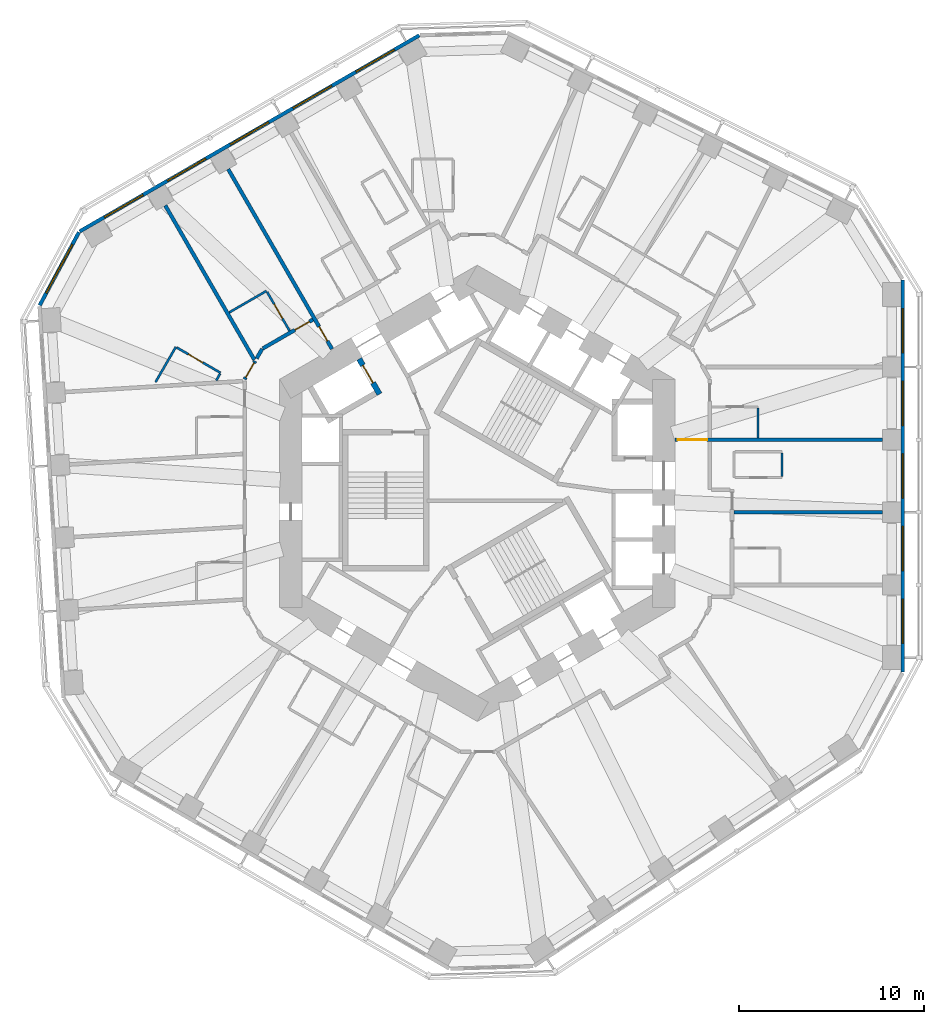
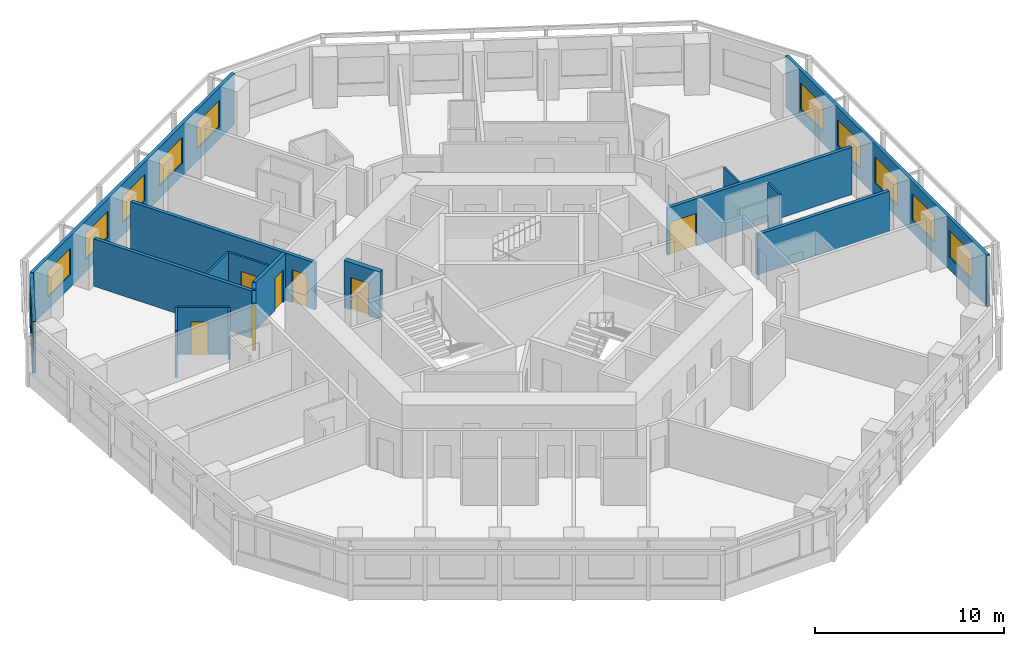
# One storey, part 7 of 12: 18 walls, 11 windows, 7 doors, 18 openings.
"""IFC4 building model written with IfcOpenShell, lengths in metres."""

from ifc_helpers import new_model, si_unit, direction, frame, frame_2d, origin, place, context, subcontext, project, spatial, rectangle, extrude, material, layer, layer_set, type_object, element, fill, save


model = new_model("IFC4")

# Units and contexts
model_context = context("Model", 3, precision=1e-05, world=origin(), true_north=direction((0.0, 1.0)))
body_context = subcontext(model_context, "Body", "Model", "MODEL_VIEW")
ifc_project = project(units=[si_unit("LENGTHUNIT", "METRE"), si_unit("AREAUNIT", "SQUARE_METRE"), si_unit("VOLUMEUNIT", "CUBIC_METRE"), si_unit("PLANEANGLEUNIT", "RADIAN"), si_unit("MASSUNIT", "GRAM", prefix="KILO")], contexts=[model_context])

# Site, building, storey
site_placement = place(None, origin())
site = spatial("IfcSite", under=ifc_project, at=site_placement, CompositionType="ELEMENT")
building_placement = place(site_placement, origin())
building = spatial("IfcBuilding", under=site, at=building_placement, Name="Vanh Sen Convention Tower", CompositionType="ELEMENT")
storey_placement = place(building_placement, frame((0.0, 0.0, 93.5)))
storey = spatial("IfcBuildingStorey", under=building, at=storey_placement, Name="L21", CompositionType="ELEMENT", Elevation=93.5)

# Wall
ifc_material_1 = material(Name="Moisture-resistant gypsum board on steel studs", Category="steel")
ifc_layer_1 = layer(ifc_material_1, 0.1201171875)
ifc_layer_set_1 = layer_set([ifc_layer_1], Name="Moisture-resistant gypsum board on steel studs")
wall_type_1 = type_object("IfcWallType", Name="Bathroom partition 120", PredefinedType="PARTITIONING", material=ifc_layer_set_1)
wall_1_placement = place(storey_placement, frame((-17.42578125, 6.019287109375, 0.0), z_axis=(0.0, 0.0, 1.0), x_axis=(0.50002983664, 0.866008176907, 0.0)))
element("IfcWall", 1, at=wall_1_placement, inside=storey, type_object=wall_type_1, Name="Bathroom partition 120", PredefinedType="PARTITIONING", context=body_context, shape_type="SweptSolid", body=[
    extrude(rectangle(XDim=2.199951171875, YDim=0.1201171875, at=frame_2d((1.10009765625, 0.0))), origin(), (0.0, 0.0, 1.0), 3.050048828125),
])

# Wall, opening, door
wall_2_placement = place(storey_placement, frame((-16.273681640625, 7.89453125, 0.0), z_axis=(0.0, 0.0, 1.0), x_axis=(0.865997131366, -0.500048966069, 0.0)))
wall_2 = element("IfcWall", 2, at=wall_2_placement, inside=storey, type_object=wall_type_1, Name="Bathroom partition 120", PredefinedType="PARTITIONING", context=body_context, shape_type="SweptSolid", body=[
    extrude(rectangle(XDim=2.739990234375, YDim=0.1201171875, at=frame_2d((1.3701171875, 0.0))), origin(), (0.0, 0.0, 1.0), 3.050048828125),
])
opening_1_placement = place(wall_2_placement, frame((0.719970703125, 0.0, 0.0)))
opening_1 = element("IfcOpeningElement", 3, at=opening_1_placement, cuts=wall_2, Name="Opening D19124", PredefinedType="OPENING", context=body_context, shape_type="SweptSolid", body=[
    extrude(rectangle(XDim=0.89990234375, YDim=2.10009765625, at=frame_2d((0.449951171875, 1.050048828125))), frame((0.0, 0.070068359375, 0.0), z_axis=(0.0, -1.0, 0.0), x_axis=(1.0, 0.0, 0.0)), (0.0, 0.0, 1.0), 0.14013671875),
])
ifc_material_2 = material(Name="Laminate door in steel frame", Category="steel")
door_type_1 = type_object("IfcDoorType", Name="En-suite door 900", OperationType="SINGLE_SWING_LEFT", PredefinedType="DOOR", material=ifc_material_2)
door_1_placement = place(opening_1_placement, origin())
door_1 = element("IfcDoor", 4, at=door_1_placement, inside=storey, type_object=door_type_1, Name="En-suite door D19124", OperationType="SINGLE_SWING_LEFT", OverallHeight=2.10009765625, OverallWidth=0.89990234375, PredefinedType="DOOR", context=body_context, shape_type="SweptSolid", body=[
    extrude(rectangle(XDim=0.89990234375, YDim=2.10009765625, at=frame_2d((0.449951171875, 1.050048828125))), frame((0.0, 0.02490234375, 0.0), z_axis=(0.0, -1.0, 0.0), x_axis=(1.0, 0.0, 0.0)), (0.0, 0.0, 1.0), 0.050048828125),
])
fill(opening_1, door_1)

# Walls
wall_3_placement = place(storey_placement, frame((-13.930908203125, 6.472412109375, 0.0), z_axis=(0.0, 0.0, 1.0), x_axis=(-0.499739399214, -0.866175809448, 0.0)))
element("IfcWall", 5, at=wall_3_placement, inside=storey, type_object=wall_type_1, Name="Bathroom partition 120", PredefinedType="PARTITIONING", context=body_context, shape_type="SweptSolid", body=[
    extrude(rectangle(XDim=0.415771484375, YDim=0.1201171875, at=frame_2d((0.2080078125, 0.0))), origin(), (0.0, 0.0, 1.0), 3.050048828125),
])
wall_4_placement = place(storey_placement, frame((-13.436279296875, 9.7939453125, 0.0), z_axis=(0.0, 0.0, 1.0), x_axis=(0.866053246676, 0.499951771596, 0.0)))
element("IfcWall", 6, at=wall_4_placement, inside=storey, type_object=wall_type_1, Name="Bathroom partition 120", PredefinedType="PARTITIONING", context=body_context, shape_type="SweptSolid", body=[
    extrude(rectangle(XDim=2.334716796875, YDim=0.1201171875, at=frame_2d((1.16748046875, 0.0))), origin(), (0.0, 0.0, 1.0), 3.050048828125),
])

# Wall, opening, door
wall_5_placement = place(storey_placement, frame((-11.384521484375, 10.9091796875, 0.0), z_axis=(0.0, 0.0, 1.0), x_axis=(0.500077547548, -0.865980627057, 0.0)))
wall_5 = element("IfcWall", 7, at=wall_5_placement, inside=storey, type_object=wall_type_1, Name="Bathroom partition 120", PredefinedType="PARTITIONING", context=body_context, shape_type="SweptSolid", body=[
    extrude(rectangle(XDim=2.43994140625, YDim=0.1201171875, at=frame_2d((1.219970703125, 0.0))), origin(), (0.0, 0.0, 1.0), 3.050048828125),
])
opening_2_placement = place(wall_5_placement, frame((0.77001953125, 0.0, 0.0)))
opening_2 = element("IfcOpeningElement", 8, at=opening_2_placement, cuts=wall_5, Name="Opening D19122", PredefinedType="OPENING", context=body_context, shape_type="SweptSolid", body=[
    extrude(rectangle(XDim=0.89990234375, YDim=2.10009765625, at=frame_2d((0.449951171875, 1.050048828125))), frame((0.0, 0.070068359375, 0.0), z_axis=(0.0, -1.0, 0.0), x_axis=(1.0, 0.0, 0.0)), (0.0, 0.0, 1.0), 0.14013671875),
])
door_2_placement = place(opening_2_placement, origin())
door_2 = element("IfcDoor", 9, at=door_2_placement, inside=storey, type_object=door_type_1, Name="En-suite door D19122", OperationType="SINGLE_SWING_LEFT", OverallHeight=2.10009765625, OverallWidth=0.89990234375, PredefinedType="DOOR", context=body_context, shape_type="SweptSolid", body=[
    extrude(rectangle(XDim=0.89990234375, YDim=2.10009765625, at=frame_2d((0.449951171875, 1.050048828125))), frame((0.0, 0.02490234375, 0.0), z_axis=(0.0, -1.0, 0.0), x_axis=(1.0, 0.0, 0.0)), (0.0, 0.0, 1.0), 0.050048828125),
])
fill(opening_2, door_2)

# Walls
wall_6_placement = place(storey_placement, frame((15.199951171875, 4.61767578125, 0.0), z_axis=(0.0, 0.0, 1.0), x_axis=(0.0, -1.0, 0.0)))
element("IfcWall", 10, at=wall_6_placement, inside=storey, type_object=wall_type_1, Name="Bathroom partition 120", PredefinedType="PARTITIONING", context=body_context, shape_type="SweptSolid", body=[
    extrude(rectangle(XDim=1.61328125, YDim=0.1201171875, at=frame_2d((0.806640625, 0.0))), origin(), (0.0, 0.0, 1.0), 3.050048828125),
])
wall_7_placement = place(storey_placement, frame((16.5, 2.19287109375, 0.0), z_axis=(0.0, 0.0, 1.0), x_axis=(0.0, -1.0, 0.0)))
element("IfcWall", 11, at=wall_7_placement, inside=storey, type_object=wall_type_1, Name="Bathroom partition 120", PredefinedType="PARTITIONING", context=body_context, shape_type="SweptSolid", body=[
    extrude(rectangle(XDim=1.280029296875, YDim=0.1201171875, at=frame_2d((0.64013671875, 0.0))), origin(), (0.0, 0.0, 1.0), 3.050048828125),
])

# Wall, opening, door
ifc_material_3 = material(Name="Gypsum board on steel studs with mineral wool", Category="steel")
ifc_layer_2 = layer(ifc_material_3, 0.199951171875)
ifc_layer_set_2 = layer_set([ifc_layer_2], Name="Gypsum board on steel studs with mineral wool")
wall_type_2 = type_object("IfcWallType", Name="Corridor partition wall 200", PredefinedType="PARTITIONING", material=ifc_layer_set_2)
wall_8_placement = place(storey_placement, frame((-12.031982421875, 7.16162109375, 0.0), z_axis=(0.0, 0.0, 1.0), x_axis=(-0.499951829968, -0.866053212979, 0.0)))
wall_8 = element("IfcWall", 12, at=wall_8_placement, inside=storey, type_object=wall_type_2, Name="Corridor partition wall 200", PredefinedType="PARTITIONING", context=body_context, shape_type="SweptSolid", body=[
    extrude(rectangle(XDim=1.13623046875, YDim=0.199951171875, at=frame_2d((0.568115234375, 0.0))), origin(), (0.0, 0.0, 1.0), 3.050048828125),
])
opening_3_placement = place(wall_8_placement, frame((0.1181640625, 0.0, 0.0)))
opening_3 = element("IfcOpeningElement", 13, at=opening_3_placement, cuts=wall_8, Name="Opening D19123", PredefinedType="OPENING", context=body_context, shape_type="SweptSolid", body=[
    extrude(rectangle(XDim=0.89990234375, YDim=2.10009765625, at=frame_2d((0.449951171875, 1.050048828125))), frame((0.0, 0.10986328125, 0.0), z_axis=(0.0, -1.0, 0.0), x_axis=(1.0, 0.0, 0.0)), (0.0, 0.0, 1.0), 0.219970703125),
])
ifc_material_4 = material(Name="Timber fire door in steel frame", Category="steel")
door_type_2 = type_object("IfcDoorType", Name="Guest room door 900", OperationType="SINGLE_SWING_LEFT", PredefinedType="DOOR", material=ifc_material_4)
door_3_placement = place(opening_3_placement, origin())
door_3 = element("IfcDoor", 14, at=door_3_placement, inside=storey, type_object=door_type_2, Name="Hotel guest room door D19123", OperationType="SINGLE_SWING_LEFT", OverallHeight=2.10009765625, OverallWidth=0.89990234375, PredefinedType="DOOR", context=body_context, shape_type="SweptSolid", body=[
    extrude(rectangle(XDim=0.89990234375, YDim=2.10009765625, at=frame_2d((0.449951171875, 1.050048828125))), frame((0.0, 0.02490234375, 0.0), z_axis=(0.0, -1.0, 0.0), x_axis=(1.0, 0.0, 0.0)), (0.0, 0.0, 1.0), 0.050048828125),
])
fill(opening_3, door_3)

# Wall
wall_9_placement = place(storey_placement, frame((-11.64990234375, 7.822998046875, 0.0), z_axis=(0.0, 0.0, 1.0), x_axis=(-0.50012165622, -0.865955154139, 0.0)))
element("IfcWall", 15, at=wall_9_placement, inside=storey, type_object=wall_type_2, Name="Corridor partition wall 200", PredefinedType="PARTITIONING", context=body_context, shape_type="SweptSolid", body=[
    extrude(rectangle(XDim=0.599853515625, YDim=0.199951171875, at=frame_2d((0.2998046875, 0.0))), origin(), (0.0, 0.0, 1.0), 3.050048828125),
])

# Wall, opening, door
wall_10_placement = place(storey_placement, frame((-8.902099609375, 9.40966796875, 0.0), z_axis=(0.0, 0.0, 1.0), x_axis=(-0.866014299198, -0.500019233215, 0.0)))
wall_10 = element("IfcWall", 16, at=wall_10_placement, inside=storey, type_object=wall_type_2, Name="Corridor partition wall 200", PredefinedType="PARTITIONING", context=body_context, shape_type="SweptSolid", body=[
    extrude(rectangle(XDim=3.13330078125, YDim=0.199951171875, at=frame_2d((1.566650390625, 0.0))), origin(), (0.0, 0.0, 1.0), 3.050048828125),
])
opening_4_placement = place(wall_10_placement, frame((0.22509765625, 0.0, 0.0)))
opening_4 = element("IfcOpeningElement", 17, at=opening_4_placement, cuts=wall_10, Name="Opening D19121", PredefinedType="OPENING", context=body_context, shape_type="SweptSolid", body=[
    extrude(rectangle(XDim=0.89990234375, YDim=2.10009765625, at=frame_2d((0.449951171875, 1.050048828125))), frame((0.0, 0.10986328125, 0.0), z_axis=(0.0, -1.0, 0.0), x_axis=(1.0, 0.0, 0.0)), (0.0, 0.0, 1.0), 0.219970703125),
])
door_4_placement = place(opening_4_placement, origin())
door_4 = element("IfcDoor", 18, at=door_4_placement, inside=storey, type_object=door_type_2, Name="Hotel guest room door D19121", OperationType="SINGLE_SWING_LEFT", OverallHeight=2.10009765625, OverallWidth=0.89990234375, PredefinedType="DOOR", context=body_context, shape_type="SweptSolid", body=[
    extrude(rectangle(XDim=0.89990234375, YDim=2.10009765625, at=frame_2d((0.449951171875, 1.050048828125))), frame((0.0, 0.02490234375, 0.0), z_axis=(0.0, -1.0, 0.0), x_axis=(1.0, 0.0, 0.0)), (0.0, 0.0, 1.0), 0.050048828125),
])
fill(opening_4, door_4)

# Wall, openings, windows
ifc_material_5 = material(Name="Insulated lightweight infill wall")
ifc_layer_3 = layer(ifc_material_5, 0.199951171875)
ifc_layer_set_3 = layer_set([ifc_layer_3], Name="Insulated lightweight infill wall")
wall_type_3 = type_object("IfcWallType", Name="External wall 200", PredefinedType="STANDARD", material=ifc_layer_set_3)
wall_11_placement = place(storey_placement, frame((23.050048828125, -9.6865234375, 0.0), z_axis=(0.0, 0.0, 1.0), x_axis=(0.0, 1.0, 0.0)))
wall_11 = element("IfcWall", 19, at=wall_11_placement, inside=storey, type_object=wall_type_3, Name="External wall E L21", PredefinedType="STANDARD", context=body_context, shape_type="SweptSolid", body=[
    extrude(rectangle(XDim=21.24609375, YDim=0.199951171875, at=frame_2d((10.623046875, 0.0))), origin(), (0.0, 0.0, 1.0), 3.300048828125),
])
opening_5_placement = place(wall_11_placement, frame((1.5546875, 0.0, 0.800048828125)))
opening_5 = element("IfcOpeningElement", 20, at=opening_5_placement, cuts=wall_11, Name="Opening WH1-E1", PredefinedType="OPENING", context=body_context, shape_type="SweptSolid", body=[
    extrude(rectangle(XDim=2.39990234375, YDim=1.699951171875, at=frame_2d((1.199951171875, 0.85009765625))), frame((0.0, 0.10986328125, 0.0), z_axis=(0.0, -1.0, 0.0), x_axis=(1.0, 0.0, 0.0)), (0.0, 0.0, 1.0), 0.219970703125),
])
opening_6_placement = place(wall_11_placement, frame((5.4892578125, 0.0, 0.800048828125)))
opening_6 = element("IfcOpeningElement", 21, at=opening_6_placement, cuts=wall_11, Name="Opening WH1-E2", PredefinedType="OPENING", context=body_context, shape_type="SweptSolid", body=[
    extrude(rectangle(XDim=2.39990234375, YDim=1.699951171875, at=frame_2d((1.199951171875, 0.85009765625))), frame((0.0, 0.10986328125, 0.0), z_axis=(0.0, -1.0, 0.0), x_axis=(1.0, 0.0, 0.0)), (0.0, 0.0, 1.0), 0.219970703125),
])
opening_7_placement = place(wall_11_placement, frame((9.423828125, 0.0, 0.800048828125)))
opening_7 = element("IfcOpeningElement", 22, at=opening_7_placement, cuts=wall_11, Name="Opening WH1-E3", PredefinedType="OPENING", context=body_context, shape_type="SweptSolid", body=[
    extrude(rectangle(XDim=2.39990234375, YDim=1.699951171875, at=frame_2d((1.199951171875, 0.85009765625))), frame((0.0, 0.10986328125, 0.0), z_axis=(0.0, -1.0, 0.0), x_axis=(1.0, 0.0, 0.0)), (0.0, 0.0, 1.0), 0.219970703125),
])
opening_8_placement = place(wall_11_placement, frame((13.3583984375, 0.0, 0.800048828125)))
opening_8 = element("IfcOpeningElement", 23, at=opening_8_placement, cuts=wall_11, Name="Opening WH1-E4", PredefinedType="OPENING", context=body_context, shape_type="SweptSolid", body=[
    extrude(rectangle(XDim=2.39990234375, YDim=1.699951171875, at=frame_2d((1.199951171875, 0.85009765625))), frame((0.0, 0.10986328125, 0.0), z_axis=(0.0, -1.0, 0.0), x_axis=(1.0, 0.0, 0.0)), (0.0, 0.0, 1.0), 0.219970703125),
])
opening_9_placement = place(wall_11_placement, frame((17.29296875, 0.0, 0.800048828125)))
opening_9 = element("IfcOpeningElement", 24, at=opening_9_placement, cuts=wall_11, Name="Opening WH1-E5", PredefinedType="OPENING", context=body_context, shape_type="SweptSolid", body=[
    extrude(rectangle(XDim=2.39990234375, YDim=1.699951171875, at=frame_2d((1.199951171875, 0.85009765625))), frame((0.0, 0.10986328125, 0.0), z_axis=(0.0, -1.0, 0.0), x_axis=(1.0, 0.0, 0.0)), (0.0, 0.0, 1.0), 0.219970703125),
])
ifc_material_6 = material(Name="Aluminium frame with clear low-emissivity glass", Category="aluminium")
window_type_1 = type_object("IfcWindowType", Name="Hotel window 2400 x 1700", PartitioningType="SINGLE_PANEL", PredefinedType="WINDOW", material=ifc_material_6)
window_1_placement = place(opening_5_placement, origin())
window_1 = element("IfcWindow", 25, at=window_1_placement, inside=storey, type_object=window_type_1, Name="Window WH1-E1", OverallHeight=1.699951171875, OverallWidth=2.39990234375, PartitioningType="SINGLE_PANEL", PredefinedType="WINDOW", context=body_context, shape_type="SweptSolid", body=[
    extrude(rectangle(XDim=2.39990234375, YDim=1.699951171875, at=frame_2d((1.199951171875, 0.85009765625))), frame((0.0, 0.030029296875, 0.0), z_axis=(0.0, -1.0, 0.0), x_axis=(1.0, 0.0, 0.0)), (0.0, 0.0, 1.0), 0.06005859375),
])
fill(opening_5, window_1)
window_2_placement = place(opening_6_placement, origin())
window_2 = element("IfcWindow", 26, at=window_2_placement, inside=storey, type_object=window_type_1, Name="Window WH1-E2", OverallHeight=1.699951171875, OverallWidth=2.39990234375, PartitioningType="SINGLE_PANEL", PredefinedType="WINDOW", context=body_context, shape_type="SweptSolid", body=[
    extrude(rectangle(XDim=2.39990234375, YDim=1.699951171875, at=frame_2d((1.199951171875, 0.85009765625))), frame((0.0, 0.030029296875, 0.0), z_axis=(0.0, -1.0, 0.0), x_axis=(1.0, 0.0, 0.0)), (0.0, 0.0, 1.0), 0.06005859375),
])
fill(opening_6, window_2)
window_3_placement = place(opening_7_placement, origin())
window_3 = element("IfcWindow", 27, at=window_3_placement, inside=storey, type_object=window_type_1, Name="Window WH1-E3", OverallHeight=1.699951171875, OverallWidth=2.39990234375, PartitioningType="SINGLE_PANEL", PredefinedType="WINDOW", context=body_context, shape_type="SweptSolid", body=[
    extrude(rectangle(XDim=2.39990234375, YDim=1.699951171875, at=frame_2d((1.199951171875, 0.85009765625))), frame((0.0, 0.030029296875, 0.0), z_axis=(0.0, -1.0, 0.0), x_axis=(1.0, 0.0, 0.0)), (0.0, 0.0, 1.0), 0.06005859375),
])
fill(opening_7, window_3)
window_4_placement = place(opening_8_placement, origin())
window_4 = element("IfcWindow", 28, at=window_4_placement, inside=storey, type_object=window_type_1, Name="Window WH1-E4", OverallHeight=1.699951171875, OverallWidth=2.39990234375, PartitioningType="SINGLE_PANEL", PredefinedType="WINDOW", context=body_context, shape_type="SweptSolid", body=[
    extrude(rectangle(XDim=2.39990234375, YDim=1.699951171875, at=frame_2d((1.199951171875, 0.85009765625))), frame((0.0, 0.030029296875, 0.0), z_axis=(0.0, -1.0, 0.0), x_axis=(1.0, 0.0, 0.0)), (0.0, 0.0, 1.0), 0.06005859375),
])
fill(opening_8, window_4)
window_5_placement = place(opening_9_placement, origin())
window_5 = element("IfcWindow", 29, at=window_5_placement, inside=storey, type_object=window_type_1, Name="Window WH1-E5", OverallHeight=1.699951171875, OverallWidth=2.39990234375, PartitioningType="SINGLE_PANEL", PredefinedType="WINDOW", context=body_context, shape_type="SweptSolid", body=[
    extrude(rectangle(XDim=2.39990234375, YDim=1.699951171875, at=frame_2d((1.199951171875, 0.85009765625))), frame((0.0, 0.030029296875, 0.0), z_axis=(0.0, -1.0, 0.0), x_axis=(1.0, 0.0, 0.0)), (0.0, 0.0, 1.0), 0.06005859375),
])
fill(opening_9, window_5)

wall_12_placement = place(storey_placement, frame((-3.135986328125, 24.80517578125, 0.0), z_axis=(0.0, 0.0, 1.0), x_axis=(-0.866028291626, -0.499994998079, 0.0)))
wall_12 = element("IfcWall", 30, at=wall_12_placement, inside=storey, type_object=wall_type_3, Name="External wall NW L21", PredefinedType="STANDARD", context=body_context, shape_type="SweptSolid", body=[
    extrude(rectangle(XDim=21.246337890625, YDim=0.199951171875, at=frame_2d((10.623046875, 0.0))), origin(), (0.0, 0.0, 1.0), 3.300048828125),
])
opening_10_placement = place(wall_12_placement, frame((1.5546875, 0.0, 0.800048828125)))
opening_10 = element("IfcOpeningElement", 31, at=opening_10_placement, cuts=wall_12, Name="Opening WH1-NW1", PredefinedType="OPENING", context=body_context, shape_type="SweptSolid", body=[
    extrude(rectangle(XDim=2.39990234375, YDim=1.699951171875, at=frame_2d((1.199951171875, 0.85009765625))), frame((0.0, 0.10986328125, 0.0), z_axis=(0.0, -1.0, 0.0), x_axis=(1.0, 0.0, 0.0)), (0.0, 0.0, 1.0), 0.219970703125),
])
opening_11_placement = place(wall_12_placement, frame((5.4892578125, 0.0, 0.800048828125)))
opening_11 = element("IfcOpeningElement", 32, at=opening_11_placement, cuts=wall_12, Name="Opening WH1-NW2", PredefinedType="OPENING", context=body_context, shape_type="SweptSolid", body=[
    extrude(rectangle(XDim=2.39990234375, YDim=1.699951171875, at=frame_2d((1.199951171875, 0.85009765625))), frame((0.0, 0.10986328125, 0.0), z_axis=(0.0, -1.0, 0.0), x_axis=(1.0, 0.0, 0.0)), (0.0, 0.0, 1.0), 0.219970703125),
])
opening_12_placement = place(wall_12_placement, frame((9.423828125, 0.0, 0.800048828125)))
opening_12 = element("IfcOpeningElement", 33, at=opening_12_placement, cuts=wall_12, Name="Opening WH1-NW3", PredefinedType="OPENING", context=body_context, shape_type="SweptSolid", body=[
    extrude(rectangle(XDim=2.39990234375, YDim=1.699951171875, at=frame_2d((1.199951171875, 0.85009765625))), frame((0.0, 0.10986328125, 0.0), z_axis=(0.0, -1.0, 0.0), x_axis=(1.0, 0.0, 0.0)), (0.0, 0.0, 1.0), 0.219970703125),
])
opening_13_placement = place(wall_12_placement, frame((13.3583984375, 0.0, 0.800048828125)))
opening_13 = element("IfcOpeningElement", 34, at=opening_13_placement, cuts=wall_12, Name="Opening WH1-NW4", PredefinedType="OPENING", context=body_context, shape_type="SweptSolid", body=[
    extrude(rectangle(XDim=2.39990234375, YDim=1.699951171875, at=frame_2d((1.199951171875, 0.85009765625))), frame((0.0, 0.10986328125, 0.0), z_axis=(0.0, -1.0, 0.0), x_axis=(1.0, 0.0, 0.0)), (0.0, 0.0, 1.0), 0.219970703125),
])
opening_14_placement = place(wall_12_placement, frame((17.293212890625, 0.0, 0.800048828125)))
opening_14 = element("IfcOpeningElement", 35, at=opening_14_placement, cuts=wall_12, Name="Opening WH1-NW5", PredefinedType="OPENING", context=body_context, shape_type="SweptSolid", body=[
    extrude(rectangle(XDim=2.39990234375, YDim=1.699951171875, at=frame_2d((1.199951171875, 0.85009765625))), frame((0.0, 0.10986328125, 0.0), z_axis=(0.0, -1.0, 0.0), x_axis=(1.0, 0.0, 0.0)), (0.0, 0.0, 1.0), 0.219970703125),
])
window_6_placement = place(opening_10_placement, origin())
window_6 = element("IfcWindow", 36, at=window_6_placement, inside=storey, type_object=window_type_1, Name="Window WH1-NW1", OverallHeight=1.699951171875, OverallWidth=2.39990234375, PartitioningType="SINGLE_PANEL", PredefinedType="WINDOW", context=body_context, shape_type="SweptSolid", body=[
    extrude(rectangle(XDim=2.39990234375, YDim=1.699951171875, at=frame_2d((1.199951171875, 0.85009765625))), frame((0.0, 0.030029296875, 0.0), z_axis=(0.0, -1.0, 0.0), x_axis=(1.0, 0.0, 0.0)), (0.0, 0.0, 1.0), 0.06005859375),
])
fill(opening_10, window_6)
window_7_placement = place(opening_11_placement, origin())
window_7 = element("IfcWindow", 37, at=window_7_placement, inside=storey, type_object=window_type_1, Name="Window WH1-NW2", OverallHeight=1.699951171875, OverallWidth=2.39990234375, PartitioningType="SINGLE_PANEL", PredefinedType="WINDOW", context=body_context, shape_type="SweptSolid", body=[
    extrude(rectangle(XDim=2.39990234375, YDim=1.699951171875, at=frame_2d((1.199951171875, 0.85009765625))), frame((0.0, 0.030029296875, 0.0), z_axis=(0.0, -1.0, 0.0), x_axis=(1.0, 0.0, 0.0)), (0.0, 0.0, 1.0), 0.06005859375),
])
fill(opening_11, window_7)
window_8_placement = place(opening_12_placement, origin())
window_8 = element("IfcWindow", 38, at=window_8_placement, inside=storey, type_object=window_type_1, Name="Window WH1-NW3", OverallHeight=1.699951171875, OverallWidth=2.39990234375, PartitioningType="SINGLE_PANEL", PredefinedType="WINDOW", context=body_context, shape_type="SweptSolid", body=[
    extrude(rectangle(XDim=2.39990234375, YDim=1.699951171875, at=frame_2d((1.199951171875, 0.85009765625))), frame((0.0, 0.030029296875, 0.0), z_axis=(0.0, -1.0, 0.0), x_axis=(1.0, 0.0, 0.0)), (0.0, 0.0, 1.0), 0.06005859375),
])
fill(opening_12, window_8)
window_9_placement = place(opening_13_placement, origin())
window_9 = element("IfcWindow", 39, at=window_9_placement, inside=storey, type_object=window_type_1, Name="Window WH1-NW4", OverallHeight=1.699951171875, OverallWidth=2.39990234375, PartitioningType="SINGLE_PANEL", PredefinedType="WINDOW", context=body_context, shape_type="SweptSolid", body=[
    extrude(rectangle(XDim=2.39990234375, YDim=1.699951171875, at=frame_2d((1.199951171875, 0.85009765625))), frame((0.0, 0.030029296875, 0.0), z_axis=(0.0, -1.0, 0.0), x_axis=(1.0, 0.0, 0.0)), (0.0, 0.0, 1.0), 0.06005859375),
])
fill(opening_13, window_9)
window_10_placement = place(opening_14_placement, origin())
window_10 = element("IfcWindow", 40, at=window_10_placement, inside=storey, type_object=window_type_1, Name="Window WH1-NW5", OverallHeight=1.699951171875, OverallWidth=2.39990234375, PartitioningType="SINGLE_PANEL", PredefinedType="WINDOW", context=body_context, shape_type="SweptSolid", body=[
    extrude(rectangle(XDim=2.39990234375, YDim=1.699951171875, at=frame_2d((1.199951171875, 0.85009765625))), frame((0.0, 0.030029296875, 0.0), z_axis=(0.0, -1.0, 0.0), x_axis=(1.0, 0.0, 0.0)), (0.0, 0.0, 1.0), 0.06005859375),
])
fill(opening_14, window_10)

# Wall, opening, window
wall_13_placement = place(storey_placement, frame((-21.573974609375, 14.142822265625, 0.0), z_axis=(0.0, 0.0, 1.0), x_axis=(-0.473292949472, -0.880905093628, 0.0)))
wall_13 = element("IfcWall", 41, at=wall_13_placement, inside=storey, type_object=wall_type_3, Name="External wall CH3 L21", PredefinedType="STANDARD", context=body_context, shape_type="SweptSolid", body=[
    extrude(rectangle(XDim=4.493896484375, YDim=0.199951171875, at=frame_2d((2.2470703125, 0.0))), origin(), (0.0, 0.0, 1.0), 3.300048828125),
])
opening_15_placement = place(wall_13_placement, frame((0.746826171875, 0.0, 0.800048828125)))
opening_15 = element("IfcOpeningElement", 42, at=opening_15_placement, cuts=wall_13, Name="Opening WH2-CH31", PredefinedType="OPENING", context=body_context, shape_type="SweptSolid", body=[
    extrude(rectangle(XDim=3.0, YDim=1.699951171875, at=frame_2d((1.5, 0.85009765625))), frame((0.0, 0.10986328125, 0.0), z_axis=(0.0, -1.0, 0.0), x_axis=(1.0, 0.0, 0.0)), (0.0, 0.0, 1.0), 0.219970703125),
])
window_type_2 = type_object("IfcWindowType", Name="Hotel window 3000 x 1700", PartitioningType="SINGLE_PANEL", PredefinedType="WINDOW", material=ifc_material_6)
window_11_placement = place(opening_15_placement, origin())
window_11 = element("IfcWindow", 43, at=window_11_placement, inside=storey, type_object=window_type_2, Name="Window WH2-CH31", OverallHeight=1.699951171875, OverallWidth=3.0, PartitioningType="SINGLE_PANEL", PredefinedType="WINDOW", context=body_context, shape_type="SweptSolid", body=[
    extrude(rectangle(XDim=3.0, YDim=1.699951171875, at=frame_2d((1.5, 0.85009765625))), frame((0.0, 0.030029296875, 0.0), z_axis=(0.0, -1.0, 0.0), x_axis=(1.0, 0.0, 0.0)), (0.0, 0.0, 1.0), 0.06005859375),
])
fill(opening_15, window_11)

# Wall, opening, door
ifc_material_7 = material(Name="Concrete C60/75", Category="concrete")
ifc_layer_4 = layer(ifc_material_7, 0.300048828125)
ifc_layer_set_4 = layer_set([ifc_layer_4], Name="Concrete C60/75")
wall_type_4 = type_object("IfcWallType", Name="Fire-fighting lift shaft wall 300", PredefinedType="SHEAR", material=ifc_layer_set_4)
wall_14_placement = place(storey_placement, frame((-5.29541015625, 5.3720703125, 0.0), z_axis=(0.0, 0.0, 1.0), x_axis=(-0.500077893725, 0.86598042715, 0.0)))
wall_14 = element("IfcWall", 44, at=wall_14_placement, inside=storey, type_object=wall_type_4, Name="Fire-fighting lift shaft wall L21", PredefinedType="SHEAR", context=body_context, shape_type="SweptSolid", body=[
    extrude(rectangle(XDim=2.199951171875, YDim=0.300048828125, at=frame_2d((1.10009765625, 0.0))), origin(), (0.0, 0.0, 1.0), 3.050048828125),
])
opening_16_placement = place(wall_14_placement, frame((0.699951171875, 0.0, 0.0)))
opening_16 = element("IfcOpeningElement", 45, at=opening_16_placement, cuts=wall_14, Name="Opening LD-FF2", PredefinedType="OPENING", context=body_context, shape_type="SweptSolid", body=[
    extrude(rectangle(XDim=1.10009765625, YDim=2.10009765625, at=frame_2d((0.550048828125, 1.050048828125))), frame((0.0, 0.159912109375, 0.0), z_axis=(0.0, -1.0, 0.0), x_axis=(1.0, 0.0, 0.0)), (0.0, 0.0, 1.0), 0.320068359375),
])
ifc_material_8 = material(Name="Stainless steel", Category="steel")
door_type_3 = type_object("IfcDoorType", Name="Fire-fighting lift landing door 1100", OperationType="DOUBLE_DOOR_SLIDING", PredefinedType="DOOR", material=ifc_material_8)
door_5_placement = place(opening_16_placement, origin())
door_5 = element("IfcDoor", 46, at=door_5_placement, inside=storey, type_object=door_type_3, Name="Lift FF2 landing door LD-FF2", OperationType="DOUBLE_DOOR_SLIDING", OverallHeight=2.10009765625, OverallWidth=1.10009765625, PredefinedType="DOOR", context=body_context, shape_type="SweptSolid", body=[
    extrude(rectangle(XDim=1.10009765625, YDim=2.10009765625, at=frame_2d((0.550048828125, 1.050048828125))), frame((0.0, 0.02490234375, 0.0), z_axis=(0.0, -1.0, 0.0), x_axis=(1.0, 0.0, 0.0)), (0.0, 0.0, 1.0), 0.050048828125),
])
fill(opening_16, door_5)

# Walls
ifc_layer_5 = layer(ifc_material_3, 0.199951171875)
ifc_layer_set_5 = layer_set([ifc_layer_5], Name="Gypsum board on steel studs with mineral wool")
wall_type_5 = type_object("IfcWallType", Name="Hotel party wall 200", PredefinedType="PARTITIONING", material=ifc_layer_set_5)
wall_15_placement = place(storey_placement, frame((-16.89794921875, 15.589599609375, 0.0), z_axis=(0.0, 0.0, 1.0), x_axis=(0.499994742786, -0.866028439017, 0.0)))
element("IfcWall", 47, at=wall_15_placement, inside=storey, type_object=wall_type_5, Name="Hotel party wall 200", PredefinedType="PARTITIONING", context=body_context, shape_type="SweptSolid", body=[
    extrude(rectangle(XDim=9.64990234375, YDim=0.199951171875, at=frame_2d((4.824951171875, 0.0))), origin(), (0.0, 0.0, 1.0), 3.050048828125),
])
wall_16_placement = place(storey_placement, frame((21.949951171875, -1.030029296875, 0.0), z_axis=(0.0, 0.0, 1.0), x_axis=(-1.0, 0.0, 0.0)))
element("IfcWall", 48, at=wall_16_placement, inside=storey, type_object=wall_type_5, Name="Hotel party wall 200", PredefinedType="PARTITIONING", context=body_context, shape_type="SweptSolid", body=[
    extrude(rectangle(XDim=8.049072265625, YDim=0.199951171875, at=frame_2d((4.0244140625, 0.0))), origin(), (0.0, 0.0, 1.0), 2.60009765625),
])

# Wall, opening, door
ifc_material_9 = material(Name="Concrete C20/25", Category="concrete")
ifc_layer_6 = layer(ifc_material_9, 0.199951171875)
ifc_layer_set_6 = layer_set([ifc_layer_6], Name="Concrete C20/25")
wall_type_6 = type_object("IfcWallType", Name="Sub-compartment wall 200", PredefinedType="PARTITIONING", material=ifc_layer_set_6)
wall_17_placement = place(storey_placement, frame((-7.865478515625, 7.814208984375, 0.0), z_axis=(0.0, 0.0, 1.0), x_axis=(-0.500004234368, 0.866022959057, 0.0)))
wall_17 = element("IfcWall", 49, at=wall_17_placement, inside=storey, type_object=wall_type_6, Name="Sub-compartment wall 200", PredefinedType="PARTITIONING", context=body_context, shape_type="SweptSolid", body=[
    extrude(rectangle(XDim=11.25, YDim=0.199951171875, at=frame_2d((5.625, 0.0))), origin(), (0.0, 0.0, 1.0), 3.050048828125),
])
opening_17_placement = place(wall_17_placement, frame((0.5, 0.0, 0.0)))
opening_17 = element("IfcOpeningElement", 50, at=opening_17_placement, cuts=wall_17, Name="Opening D19140", PredefinedType="OPENING", context=body_context, shape_type="SweptSolid", body=[
    extrude(rectangle(XDim=0.89990234375, YDim=2.10009765625, at=frame_2d((0.449951171875, 1.050048828125))), frame((0.0, 0.10986328125, 0.0), z_axis=(0.0, -1.0, 0.0), x_axis=(1.0, 0.0, 0.0)), (0.0, 0.0, 1.0), 0.219970703125),
])
ifc_material_10 = material(Name="Steel S355", Category="steel")
door_type_4 = type_object("IfcDoorType", Name="Corridor fire door 900", OperationType="SINGLE_SWING_LEFT", PredefinedType="DOOR", material=ifc_material_10)
door_6_placement = place(opening_17_placement, origin())
door_6 = element("IfcDoor", 51, at=door_6_placement, inside=storey, type_object=door_type_4, Name="Sub-compartment door D19140", OperationType="SINGLE_SWING_LEFT", OverallHeight=2.10009765625, OverallWidth=0.89990234375, PredefinedType="DOOR", context=body_context, shape_type="SweptSolid", body=[
    extrude(rectangle(XDim=0.89990234375, YDim=2.10009765625, at=frame_2d((0.449951171875, 1.050048828125))), frame((0.0, 0.02490234375, 0.0), z_axis=(0.0, -1.0, 0.0), x_axis=(1.0, 0.0, 0.0)), (0.0, 0.0, 1.0), 0.050048828125),
])
fill(opening_17, door_6)

wall_18_placement = place(storey_placement, frame((21.949951171875, 2.904541015625, 0.0), z_axis=(0.0, 0.0, 1.0), x_axis=(-1.0, 0.0, 0.0)))
wall_18 = element("IfcWall", 52, at=wall_18_placement, inside=storey, type_object=wall_type_6, Name="Sub-compartment wall 200", PredefinedType="PARTITIONING", context=body_context, shape_type="SweptSolid", body=[
    extrude(rectangle(XDim=11.25, YDim=0.199951171875, at=frame_2d((5.625, 0.0))), origin(), (0.0, 0.0, 1.0), 3.050048828125),
])
opening_18_placement = place(wall_18_placement, frame((9.5, 0.0, 0.0)))
opening_18 = element("IfcOpeningElement", 53, at=opening_18_placement, cuts=wall_18, Name="Opening D19141", PredefinedType="OPENING", context=body_context, shape_type="SweptSolid", body=[
    extrude(rectangle(XDim=1.60009765625, YDim=2.10009765625, at=frame_2d((0.800048828125, 1.050048828125))), frame((0.0, 0.10986328125, 0.0), z_axis=(0.0, -1.0, 0.0), x_axis=(1.0, 0.0, 0.0)), (0.0, 0.0, 1.0), 0.219970703125),
])
door_type_5 = type_object("IfcDoorType", Name="Corridor fire door 1600", OperationType="DOUBLE_DOOR_SINGLE_SWING", PredefinedType="DOOR", material=ifc_material_10)
door_7_placement = place(opening_18_placement, origin())
door_7 = element("IfcDoor", 54, at=door_7_placement, inside=storey, type_object=door_type_5, Name="Sub-compartment door D19141", OperationType="DOUBLE_DOOR_SINGLE_SWING", OverallHeight=2.10009765625, OverallWidth=1.60009765625, PredefinedType="DOOR", context=body_context, shape_type="SweptSolid", body=[
    extrude(rectangle(XDim=1.60009765625, YDim=2.10009765625, at=frame_2d((0.800048828125, 1.050048828125))), frame((0.0, 0.02490234375, 0.0), z_axis=(0.0, -1.0, 0.0), x_axis=(1.0, 0.0, 0.0)), (0.0, 0.0, 1.0), 0.050048828125),
])
fill(opening_18, door_7)

save(model, "model.ifc")
